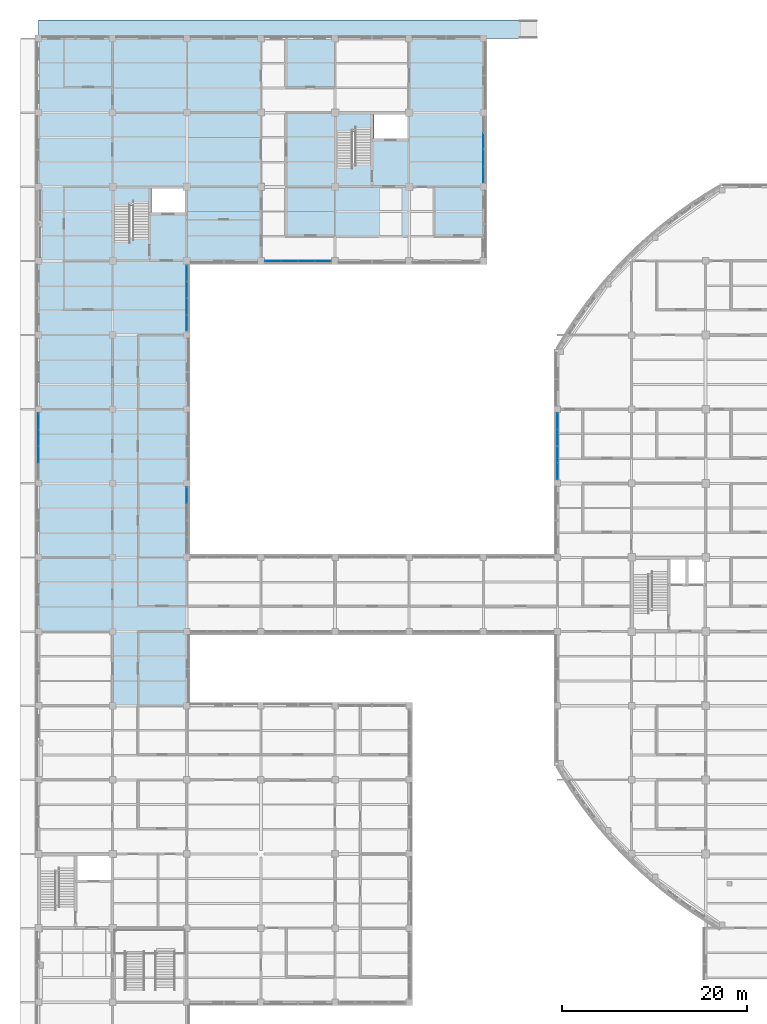
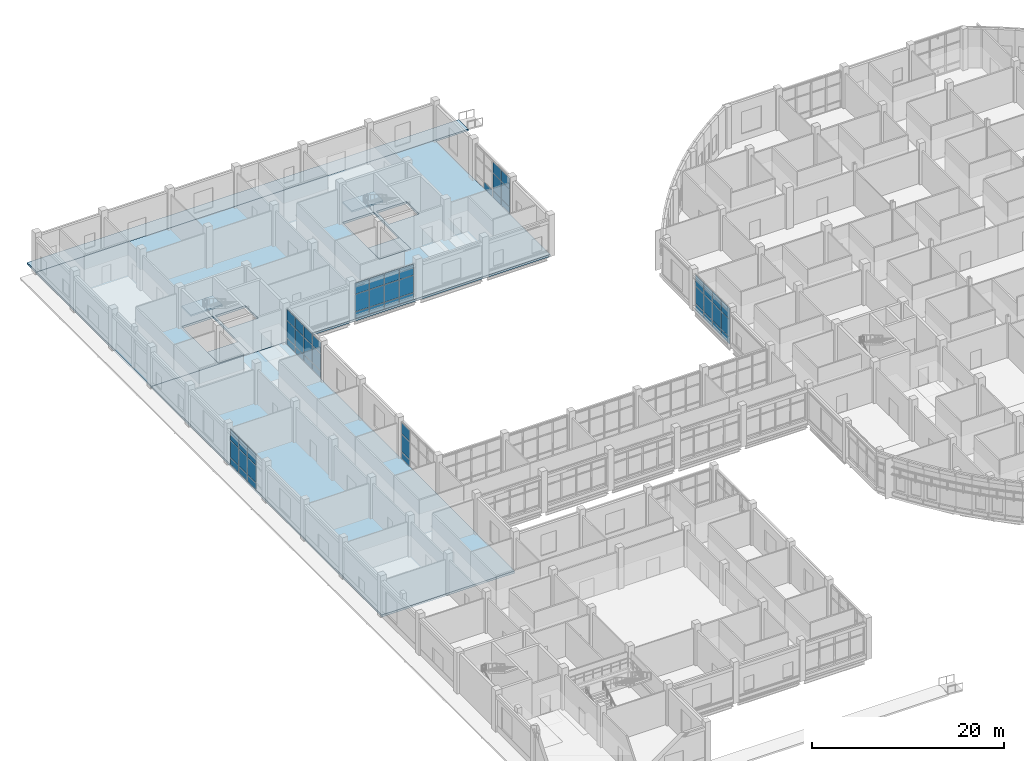
# One storey, part 52 of 105: 55 plates, 7 slabs, 8 elements without a shape of their own.
"""IFC4 building model written with IfcOpenShell, lengths in metres."""

from ifc_helpers import new_model, si_unit, derived_unit, direction, frame, origin, origin_2d, place, context, subcontext, project, spatial, polyline, rectangle, outline, extrude, material, layer, layer_set, type_object, element, aggregate, save


model = new_model("IFC4")

# Units and contexts
model_context = context("Model", 3, precision=1e-05, world=origin(), true_north=direction((0.0, 1.0)))
body_context = subcontext(model_context, "Body", "Model", "MODEL_VIEW")
ifc_project = project(units=[si_unit("LENGTHUNIT", "METRE"), si_unit("AREAUNIT", "SQUARE_METRE"), si_unit("VOLUMEUNIT", "CUBIC_METRE"), si_unit("PLANEANGLEUNIT", "RADIAN"), si_unit("MASSUNIT", "GRAM", prefix="KILO"), derived_unit("THERMALTRANSMITTANCEUNIT", [(si_unit("MASSUNIT", "GRAM", prefix="KILO"), 1), (si_unit("TIMEUNIT", "SECOND"), -3), (si_unit("THERMODYNAMICTEMPERATUREUNIT", "KELVIN"), -1)])], contexts=[model_context])

# Site, building, storey
site_placement = place(None, origin())
site = spatial("IfcSite", under=ifc_project, at=site_placement, CompositionType="ELEMENT")
building_placement = place(site_placement, origin())
building = spatial("IfcBuilding", under=site, at=building_placement, Name="Veyamyaing Civic Hall", CompositionType="ELEMENT")
storey_placement = place(building_placement, origin())
storey = spatial("IfcBuildingStorey", under=building, at=storey_placement, Name="L00", CompositionType="ELEMENT", Elevation=0.0)

# Curtain wall, plates
ifc_material_1 = material(Name="Anodised aluminium 6063-T6", Category="aluminium")
ifc_layer_1 = layer(ifc_material_1, 0.159912109375, Name="Anodised aluminium 6063-T6")
ifc_layer_set_1 = layer_set([ifc_layer_1], Name="Anodised aluminium 6063-T6")
curtain_wall_type_1 = type_object("IfcCurtainWallType", Name="CW-01", PredefinedType="NOTDEFINED", material=ifc_layer_set_1)
curtain_wall_1_placement = place(storey_placement, origin())
curtain_wall_1 = element("IfcCurtainWall", 1, at=curtain_wall_1_placement, inside=storey, type_object=curtain_wall_type_1, Name="Unitized curtain wall CW-01 L00 E 2.11", PredefinedType="NOTDEFINED")
ifc_material_2 = material(Name="Low-E insulated glass", Category="glass")
ifc_layer_2 = layer(ifc_material_2, 0.028076171875, Name="Low-E insulated glass")
ifc_layer_set_2 = layer_set([ifc_layer_2], Name="Low-E insulated glass")
plate_type_1 = type_object("IfcPlateType", Name="CWP-01", PredefinedType="CURTAIN_PANEL", material=ifc_layer_set_2)
plate_1_placement = place(storey_placement, frame((16.0, 81.294921875, 0.06494140625), z_axis=(0.0, 0.0, 1.0), x_axis=(0.0, 1.0, 0.0)))
plate_1 = element("IfcPlate", 2, at=plate_1_placement, type_object=plate_type_1, Name="CW-01 panel 1.1", PredefinedType="CURTAIN_PANEL", context=body_context, shape_type="SweptSolid", body=[
    extrude(rectangle(XDim=1.699951171875, YDim=0.028076171875, at=origin_2d()), origin(), (0.0, 0.0, 1.0), 0.802490234375),
])
plate_2_placement = place(storey_placement, frame((16.0, 81.294921875, 0.9326171875), z_axis=(0.0, 0.0, 1.0), x_axis=(0.0, 1.0, 0.0)))
plate_2 = element("IfcPlate", 3, at=plate_2_placement, type_object=plate_type_1, Name="CW-01 panel 1.2", PredefinedType="CURTAIN_PANEL", context=body_context, shape_type="SweptSolid", body=[
    extrude(rectangle(XDim=1.699951171875, YDim=0.028076171875, at=origin_2d()), origin(), (0.0, 0.0, 1.0), 2.173095703125),
])
plate_3_placement = place(storey_placement, frame((16.0, 81.294921875, 3.170654296875), z_axis=(0.0, 0.0, 1.0), x_axis=(0.0, 1.0, 0.0)))
plate_3 = element("IfcPlate", 4, at=plate_3_placement, type_object=plate_type_1, Name="CW-01 panel 1.3", PredefinedType="CURTAIN_PANEL", context=body_context, shape_type="SweptSolid", body=[
    extrude(rectangle(XDim=1.699951171875, YDim=0.028076171875, at=origin_2d()), origin(), (0.0, 0.0, 1.0), 1.37939453125),
])
plate_4_placement = place(storey_placement, frame((16.0, 83.076171875, 0.06494140625), z_axis=(0.0, 0.0, 1.0), x_axis=(0.0, 1.0, 0.0)))
plate_4 = element("IfcPlate", 5, at=plate_4_placement, type_object=plate_type_1, Name="CW-01 panel 2.1", PredefinedType="CURTAIN_PANEL", context=body_context, shape_type="SweptSolid", body=[
    extrude(rectangle(XDim=1.732421875, YDim=0.028076171875, at=origin_2d()), origin(), (0.0, 0.0, 1.0), 0.802490234375),
])
plate_5_placement = place(storey_placement, frame((16.0, 83.076171875, 0.9326171875), z_axis=(0.0, 0.0, 1.0), x_axis=(0.0, 1.0, 0.0)))
plate_5 = element("IfcPlate", 6, at=plate_5_placement, type_object=plate_type_1, Name="CW-01 panel 2.2", PredefinedType="CURTAIN_PANEL", context=body_context, shape_type="SweptSolid", body=[
    extrude(rectangle(XDim=1.732421875, YDim=0.028076171875, at=origin_2d()), origin(), (0.0, 0.0, 1.0), 2.173095703125),
])
plate_6_placement = place(storey_placement, frame((16.0, 83.076171875, 3.170654296875), z_axis=(0.0, 0.0, 1.0), x_axis=(0.0, 1.0, 0.0)))
plate_6 = element("IfcPlate", 7, at=plate_6_placement, type_object=plate_type_1, Name="CW-01 panel 2.3", PredefinedType="CURTAIN_PANEL", context=body_context, shape_type="SweptSolid", body=[
    extrude(rectangle(XDim=1.732421875, YDim=0.028076171875, at=origin_2d()), origin(), (0.0, 0.0, 1.0), 1.37939453125),
])
plate_7_placement = place(storey_placement, frame((16.0, 84.873779296875, 0.06494140625), z_axis=(0.0, 0.0, 1.0), x_axis=(0.0, 1.0, 0.0)))
plate_7 = element("IfcPlate", 8, at=plate_7_placement, type_object=plate_type_1, Name="CW-01 panel 3.1", PredefinedType="CURTAIN_PANEL", context=body_context, shape_type="SweptSolid", body=[
    extrude(rectangle(XDim=1.732421875, YDim=0.028076171875, at=origin_2d()), origin(), (0.0, 0.0, 1.0), 0.802490234375),
])
plate_8_placement = place(storey_placement, frame((16.0, 84.873779296875, 0.9326171875), z_axis=(0.0, 0.0, 1.0), x_axis=(0.0, 1.0, 0.0)))
plate_8 = element("IfcPlate", 9, at=plate_8_placement, type_object=plate_type_1, Name="CW-01 panel 3.2", PredefinedType="CURTAIN_PANEL", context=body_context, shape_type="SweptSolid", body=[
    extrude(rectangle(XDim=1.732421875, YDim=0.028076171875, at=origin_2d()), origin(), (0.0, 0.0, 1.0), 2.173095703125),
])
plate_9_placement = place(storey_placement, frame((16.0, 84.873779296875, 3.170654296875), z_axis=(0.0, 0.0, 1.0), x_axis=(0.0, 1.0, 0.0)))
plate_9 = element("IfcPlate", 10, at=plate_9_placement, type_object=plate_type_1, Name="CW-01 panel 3.3", PredefinedType="CURTAIN_PANEL", context=body_context, shape_type="SweptSolid", body=[
    extrude(rectangle(XDim=1.732421875, YDim=0.028076171875, at=origin_2d()), origin(), (0.0, 0.0, 1.0), 1.37939453125),
])
plate_10_placement = place(storey_placement, frame((16.0, 86.655029296875, 0.06494140625), z_axis=(0.0, 0.0, 1.0), x_axis=(0.0, 1.0, 0.0)))
plate_10 = element("IfcPlate", 11, at=plate_10_placement, type_object=plate_type_1, Name="CW-01 panel 4.1", PredefinedType="CURTAIN_PANEL", context=body_context, shape_type="SweptSolid", body=[
    extrude(rectangle(XDim=1.699951171875, YDim=0.028076171875, at=origin_2d()), origin(), (0.0, 0.0, 1.0), 0.802490234375),
])
plate_11_placement = place(storey_placement, frame((16.0, 86.655029296875, 0.9326171875), z_axis=(0.0, 0.0, 1.0), x_axis=(0.0, 1.0, 0.0)))
plate_11 = element("IfcPlate", 12, at=plate_11_placement, type_object=plate_type_1, Name="CW-01 panel 4.2", PredefinedType="CURTAIN_PANEL", context=body_context, shape_type="SweptSolid", body=[
    extrude(rectangle(XDim=1.699951171875, YDim=0.028076171875, at=origin_2d()), origin(), (0.0, 0.0, 1.0), 2.173095703125),
])
plate_12_placement = place(storey_placement, frame((16.0, 86.655029296875, 3.170654296875), z_axis=(0.0, 0.0, 1.0), x_axis=(0.0, 1.0, 0.0)))
plate_12 = element("IfcPlate", 13, at=plate_12_placement, type_object=plate_type_1, Name="CW-01 panel 4.3", PredefinedType="CURTAIN_PANEL", context=body_context, shape_type="SweptSolid", body=[
    extrude(rectangle(XDim=1.699951171875, YDim=0.028076171875, at=origin_2d()), origin(), (0.0, 0.0, 1.0), 1.37939453125),
])
aggregate(curtain_wall_1, [plate_1, plate_2, plate_3, plate_4, plate_5, plate_6, plate_7, plate_8, plate_9, plate_10, plate_11, plate_12])

curtain_wall_2_placement = place(storey_placement, origin())
curtain_wall_2 = element("IfcCurtainWall", 14, at=curtain_wall_2_placement, inside=storey, type_object=curtain_wall_type_1, Name="Unitized curtain wall CW-01 L00 E 6.13", PredefinedType="NOTDEFINED")
plate_13_placement = place(storey_placement, frame((48.0, 97.320068359375, 0.06494140625), z_axis=(0.0, 0.0, 1.0), x_axis=(0.0, 1.0, 0.0)))
plate_13 = element("IfcPlate", 15, at=plate_13_placement, type_object=plate_type_1, Name="CW-01 panel 1.1", PredefinedType="CURTAIN_PANEL", context=body_context, shape_type="SweptSolid", body=[
    extrude(rectangle(XDim=1.699951171875, YDim=0.028076171875, at=origin_2d()), origin(), (0.0, 0.0, 1.0), 0.802490234375),
])
plate_14_placement = place(storey_placement, frame((48.0, 97.320068359375, 0.9326171875), z_axis=(0.0, 0.0, 1.0), x_axis=(0.0, 1.0, 0.0)))
plate_14 = element("IfcPlate", 16, at=plate_14_placement, type_object=plate_type_1, Name="CW-01 panel 1.2", PredefinedType="CURTAIN_PANEL", context=body_context, shape_type="SweptSolid", body=[
    extrude(rectangle(XDim=1.699951171875, YDim=0.028076171875, at=origin_2d()), origin(), (0.0, 0.0, 1.0), 2.172607421875),
])
plate_15_placement = place(storey_placement, frame((48.0, 97.320068359375, 3.170166015625), z_axis=(0.0, 0.0, 1.0), x_axis=(0.0, 1.0, 0.0)))
plate_15 = element("IfcPlate", 17, at=plate_15_placement, type_object=plate_type_1, Name="CW-01 panel 1.3", PredefinedType="CURTAIN_PANEL", context=body_context, shape_type="SweptSolid", body=[
    extrude(rectangle(XDim=1.699951171875, YDim=0.028076171875, at=origin_2d()), origin(), (0.0, 0.0, 1.0), 1.37890625),
])
plate_16_placement = place(storey_placement, frame((48.0, 99.101318359375, 0.06494140625), z_axis=(0.0, 0.0, 1.0), x_axis=(0.0, 1.0, 0.0)))
plate_16 = element("IfcPlate", 18, at=plate_16_placement, type_object=plate_type_1, Name="CW-01 panel 2.1", PredefinedType="CURTAIN_PANEL", context=body_context, shape_type="SweptSolid", body=[
    extrude(rectangle(XDim=1.732421875, YDim=0.028076171875, at=origin_2d()), origin(), (0.0, 0.0, 1.0), 0.802490234375),
])
plate_17_placement = place(storey_placement, frame((48.0, 99.101318359375, 0.9326171875), z_axis=(0.0, 0.0, 1.0), x_axis=(0.0, 1.0, 0.0)))
plate_17 = element("IfcPlate", 19, at=plate_17_placement, type_object=plate_type_1, Name="CW-01 panel 2.2", PredefinedType="CURTAIN_PANEL", context=body_context, shape_type="SweptSolid", body=[
    extrude(rectangle(XDim=1.732421875, YDim=0.028076171875, at=origin_2d()), origin(), (0.0, 0.0, 1.0), 2.172607421875),
])
plate_18_placement = place(storey_placement, frame((48.0, 99.101318359375, 3.170166015625), z_axis=(0.0, 0.0, 1.0), x_axis=(0.0, 1.0, 0.0)))
plate_18 = element("IfcPlate", 20, at=plate_18_placement, type_object=plate_type_1, Name="CW-01 panel 2.3", PredefinedType="CURTAIN_PANEL", context=body_context, shape_type="SweptSolid", body=[
    extrude(rectangle(XDim=1.732421875, YDim=0.028076171875, at=origin_2d()), origin(), (0.0, 0.0, 1.0), 1.37890625),
])
plate_19_placement = place(storey_placement, frame((48.0, 100.898681640625, 0.06494140625), z_axis=(0.0, 0.0, 1.0), x_axis=(0.0, 1.0, 0.0)))
plate_19 = element("IfcPlate", 21, at=plate_19_placement, type_object=plate_type_1, Name="CW-01 panel 3.1", PredefinedType="CURTAIN_PANEL", context=body_context, shape_type="SweptSolid", body=[
    extrude(rectangle(XDim=1.732421875, YDim=0.028076171875, at=origin_2d()), origin(), (0.0, 0.0, 1.0), 0.802490234375),
])
aggregate(curtain_wall_2, [plate_13, plate_14, plate_15, plate_16, plate_17, plate_18, plate_19])

curtain_wall_3_placement = place(storey_placement, origin())
curtain_wall_3 = element("IfcCurtainWall", 22, at=curtain_wall_3_placement, inside=storey, type_object=curtain_wall_type_1, Name="Unitized curtain wall CW-01 L00 W 1.9", PredefinedType="NOTDEFINED")
ifc_layer_3 = layer(ifc_material_2, 0.02392578125, Name="Low-E insulated glass")
ifc_layer_set_3 = layer_set([ifc_layer_3], Name="Low-E insulated glass")
plate_type_2 = type_object("IfcPlateType", Name="CWP-04", PredefinedType="CURTAIN_PANEL", material=ifc_layer_set_3)
plate_20_placement = place(storey_placement, frame((0.0, 67.094970703125, 0.06494140625), z_axis=(0.0, 0.0, 1.0), x_axis=(0.0, 1.0, 0.0)))
plate_20 = element("IfcPlate", 23, at=plate_20_placement, type_object=plate_type_2, Name="CW-01 panel 2.1", PredefinedType="CURTAIN_PANEL", context=body_context, shape_type="SweptSolid", body=[
    extrude(rectangle(XDim=1.7451171875, YDim=0.02392578125, at=origin_2d()), origin(), (0.0, 0.0, 1.0), 0.802490234375),
])
plate_21_placement = place(storey_placement, frame((0.0, 67.094970703125, 0.932373046875), z_axis=(0.0, 0.0, 1.0), x_axis=(0.0, 1.0, 0.0)))
plate_21 = element("IfcPlate", 24, at=plate_21_placement, type_object=plate_type_2, Name="CW-01 panel 2.2", PredefinedType="CURTAIN_PANEL", context=body_context, shape_type="SweptSolid", body=[
    extrude(rectangle(XDim=1.7451171875, YDim=0.02392578125, at=origin_2d()), origin(), (0.0, 0.0, 1.0), 2.169921875),
])
plate_22_placement = place(storey_placement, frame((0.0, 67.094970703125, 3.16748046875), z_axis=(0.0, 0.0, 1.0), x_axis=(0.0, 1.0, 0.0)))
plate_22 = element("IfcPlate", 25, at=plate_22_placement, type_object=plate_type_2, Name="CW-01 panel 2.3", PredefinedType="CURTAIN_PANEL", context=body_context, shape_type="SweptSolid", body=[
    extrude(rectangle(XDim=1.7451171875, YDim=0.02392578125, at=origin_2d()), origin(), (0.0, 0.0, 1.0), 1.377685546875),
])
plate_23_placement = place(storey_placement, frame((0.0, 68.905029296875, 0.06494140625), z_axis=(0.0, 0.0, 1.0), x_axis=(0.0, 1.0, 0.0)))
plate_23 = element("IfcPlate", 26, at=plate_23_placement, type_object=plate_type_2, Name="CW-01 panel 3.1", PredefinedType="CURTAIN_PANEL", context=body_context, shape_type="SweptSolid", body=[
    extrude(rectangle(XDim=1.7451171875, YDim=0.02392578125, at=origin_2d()), origin(), (0.0, 0.0, 1.0), 0.802490234375),
])
plate_24_placement = place(storey_placement, frame((0.0, 68.905029296875, 0.932373046875), z_axis=(0.0, 0.0, 1.0), x_axis=(0.0, 1.0, 0.0)))
plate_24 = element("IfcPlate", 27, at=plate_24_placement, type_object=plate_type_2, Name="CW-01 panel 3.2", PredefinedType="CURTAIN_PANEL", context=body_context, shape_type="SweptSolid", body=[
    extrude(rectangle(XDim=1.7451171875, YDim=0.02392578125, at=origin_2d()), origin(), (0.0, 0.0, 1.0), 2.169921875),
])
plate_25_placement = place(storey_placement, frame((0.0, 68.905029296875, 3.16748046875), z_axis=(0.0, 0.0, 1.0), x_axis=(0.0, 1.0, 0.0)))
plate_25 = element("IfcPlate", 28, at=plate_25_placement, type_object=plate_type_2, Name="CW-01 panel 3.3", PredefinedType="CURTAIN_PANEL", context=body_context, shape_type="SweptSolid", body=[
    extrude(rectangle(XDim=1.7451171875, YDim=0.02392578125, at=origin_2d()), origin(), (0.0, 0.0, 1.0), 1.377685546875),
])
plate_26_placement = place(storey_placement, frame((0.0, 70.69873046875, 0.06494140625), z_axis=(0.0, 0.0, 1.0), x_axis=(0.0, 1.0, 0.0)))
plate_26 = element("IfcPlate", 29, at=plate_26_placement, type_object=plate_type_2, Name="CW-01 panel 4.1", PredefinedType="CURTAIN_PANEL", context=body_context, shape_type="SweptSolid", body=[
    extrude(rectangle(XDim=1.71240234375, YDim=0.02392578125, at=origin_2d()), origin(), (0.0, 0.0, 1.0), 0.802490234375),
])
plate_27_placement = place(storey_placement, frame((0.0, 70.69873046875, 0.932373046875), z_axis=(0.0, 0.0, 1.0), x_axis=(0.0, 1.0, 0.0)))
plate_27 = element("IfcPlate", 30, at=plate_27_placement, type_object=plate_type_2, Name="CW-01 panel 4.2", PredefinedType="CURTAIN_PANEL", context=body_context, shape_type="SweptSolid", body=[
    extrude(rectangle(XDim=1.71240234375, YDim=0.02392578125, at=origin_2d()), origin(), (0.0, 0.0, 1.0), 2.169921875),
])
plate_28_placement = place(storey_placement, frame((0.0, 70.69873046875, 3.16748046875), z_axis=(0.0, 0.0, 1.0), x_axis=(0.0, 1.0, 0.0)))
plate_28 = element("IfcPlate", 31, at=plate_28_placement, type_object=plate_type_2, Name="CW-01 panel 4.3", PredefinedType="CURTAIN_PANEL", context=body_context, shape_type="SweptSolid", body=[
    extrude(rectangle(XDim=1.71240234375, YDim=0.02392578125, at=origin_2d()), origin(), (0.0, 0.0, 1.0), 1.377685546875),
])
aggregate(curtain_wall_3, [plate_20, plate_21, plate_22, plate_23, plate_24, plate_25, plate_26, plate_27, plate_28])

curtain_wall_4_placement = place(storey_placement, origin())
curtain_wall_4 = element("IfcCurtainWall", 32, at=curtain_wall_4_placement, inside=storey, type_object=curtain_wall_type_1, Name="Unitized curtain wall CW-01 L00 E 2.8", PredefinedType="NOTDEFINED")
plate_29_placement = place(storey_placement, frame((16.0, 62.69873046875, 0.06494140625), z_axis=(0.0, 0.0, 1.0), x_axis=(0.0, 1.0, 0.0)))
plate_29 = element("IfcPlate", 33, at=plate_29_placement, type_object=plate_type_2, Name="CW-01 panel 4.1", PredefinedType="CURTAIN_PANEL", context=body_context, shape_type="SweptSolid", body=[
    extrude(rectangle(XDim=1.71240234375, YDim=0.02392578125, at=origin_2d()), origin(), (0.0, 0.0, 1.0), 0.802490234375),
])
plate_30_placement = place(storey_placement, frame((16.0, 62.69873046875, 0.932373046875), z_axis=(0.0, 0.0, 1.0), x_axis=(0.0, 1.0, 0.0)))
plate_30 = element("IfcPlate", 34, at=plate_30_placement, type_object=plate_type_2, Name="CW-01 panel 4.2", PredefinedType="CURTAIN_PANEL", context=body_context, shape_type="SweptSolid", body=[
    extrude(rectangle(XDim=1.71240234375, YDim=0.02392578125, at=origin_2d()), origin(), (0.0, 0.0, 1.0), 2.216796875),
])
plate_31_placement = place(storey_placement, frame((16.0, 62.69873046875, 3.214111328125), z_axis=(0.0, 0.0, 1.0), x_axis=(0.0, 1.0, 0.0)))
plate_31 = element("IfcPlate", 35, at=plate_31_placement, type_object=plate_type_2, Name="CW-01 panel 4.3", PredefinedType="CURTAIN_PANEL", context=body_context, shape_type="SweptSolid", body=[
    extrude(rectangle(XDim=1.71240234375, YDim=0.02392578125, at=origin_2d()), origin(), (0.0, 0.0, 1.0), 1.39990234375),
])
aggregate(curtain_wall_4, [plate_29, plate_30, plate_31])

curtain_wall_5_placement = place(storey_placement, origin())
curtain_wall_5 = element("IfcCurtainWall", 36, at=curtain_wall_5_placement, inside=storey, type_object=curtain_wall_type_1, Name="Unitized curtain wall CW-01 L00 S 4.12", PredefinedType="NOTDEFINED")
plate_32_placement = place(storey_placement, frame((25.320068359375, 88.0, 0.06494140625), z_axis=(0.0, 0.0, 1.0), x_axis=(1.0, 0.0, 0.0)))
plate_32 = element("IfcPlate", 37, at=plate_32_placement, type_object=plate_type_2, Name="CW-01 panel 1.1", PredefinedType="CURTAIN_PANEL", context=body_context, shape_type="SweptSolid", body=[
    extrude(rectangle(XDim=1.699951171875, YDim=0.02392578125, at=origin_2d()), origin(), (0.0, 0.0, 1.0), 0.802490234375),
])
plate_33_placement = place(storey_placement, frame((25.320068359375, 88.0, 0.9326171875), z_axis=(0.0, 0.0, 1.0), x_axis=(1.0, 0.0, 0.0)))
plate_33 = element("IfcPlate", 38, at=plate_33_placement, type_object=plate_type_2, Name="CW-01 panel 1.2", PredefinedType="CURTAIN_PANEL", context=body_context, shape_type="SweptSolid", body=[
    extrude(rectangle(XDim=1.699951171875, YDim=0.02392578125, at=origin_2d()), origin(), (0.0, 0.0, 1.0), 2.172607421875),
])
plate_34_placement = place(storey_placement, frame((25.320068359375, 88.0, 3.170166015625), z_axis=(0.0, 0.0, 1.0), x_axis=(1.0, 0.0, 0.0)))
plate_34 = element("IfcPlate", 39, at=plate_34_placement, type_object=plate_type_2, Name="CW-01 panel 1.3", PredefinedType="CURTAIN_PANEL", context=body_context, shape_type="SweptSolid", body=[
    extrude(rectangle(XDim=1.699951171875, YDim=0.02392578125, at=origin_2d()), origin(), (0.0, 0.0, 1.0), 1.37890625),
])
plate_35_placement = place(storey_placement, frame((27.101318359375, 88.0, 0.06494140625), z_axis=(0.0, 0.0, 1.0), x_axis=(1.0, 0.0, 0.0)))
plate_35 = element("IfcPlate", 40, at=plate_35_placement, type_object=plate_type_2, Name="CW-01 panel 2.1", PredefinedType="CURTAIN_PANEL", context=body_context, shape_type="SweptSolid", body=[
    extrude(rectangle(XDim=1.732421875, YDim=0.02392578125, at=origin_2d()), origin(), (0.0, 0.0, 1.0), 0.802490234375),
])
plate_36_placement = place(storey_placement, frame((27.101318359375, 88.0, 0.9326171875), z_axis=(0.0, 0.0, 1.0), x_axis=(1.0, 0.0, 0.0)))
plate_36 = element("IfcPlate", 41, at=plate_36_placement, type_object=plate_type_2, Name="CW-01 panel 2.2", PredefinedType="CURTAIN_PANEL", context=body_context, shape_type="SweptSolid", body=[
    extrude(rectangle(XDim=1.732421875, YDim=0.02392578125, at=origin_2d()), origin(), (0.0, 0.0, 1.0), 2.172607421875),
])
plate_37_placement = place(storey_placement, frame((27.101318359375, 88.0, 3.170166015625), z_axis=(0.0, 0.0, 1.0), x_axis=(1.0, 0.0, 0.0)))
plate_37 = element("IfcPlate", 42, at=plate_37_placement, type_object=plate_type_2, Name="CW-01 panel 2.3", PredefinedType="CURTAIN_PANEL", context=body_context, shape_type="SweptSolid", body=[
    extrude(rectangle(XDim=1.732421875, YDim=0.02392578125, at=origin_2d()), origin(), (0.0, 0.0, 1.0), 1.37890625),
])
plate_38_placement = place(storey_placement, frame((28.898681640625, 88.0, 0.06494140625), z_axis=(0.0, 0.0, 1.0), x_axis=(1.0, 0.0, 0.0)))
plate_38 = element("IfcPlate", 43, at=plate_38_placement, type_object=plate_type_2, Name="CW-01 panel 3.1", PredefinedType="CURTAIN_PANEL", context=body_context, shape_type="SweptSolid", body=[
    extrude(rectangle(XDim=1.732421875, YDim=0.02392578125, at=origin_2d()), origin(), (0.0, 0.0, 1.0), 0.802490234375),
])
plate_39_placement = place(storey_placement, frame((28.898681640625, 88.0, 0.9326171875), z_axis=(0.0, 0.0, 1.0), x_axis=(1.0, 0.0, 0.0)))
plate_39 = element("IfcPlate", 44, at=plate_39_placement, type_object=plate_type_2, Name="CW-01 panel 3.2", PredefinedType="CURTAIN_PANEL", context=body_context, shape_type="SweptSolid", body=[
    extrude(rectangle(XDim=1.732421875, YDim=0.02392578125, at=origin_2d()), origin(), (0.0, 0.0, 1.0), 2.172607421875),
])
plate_40_placement = place(storey_placement, frame((28.898681640625, 88.0, 3.170166015625), z_axis=(0.0, 0.0, 1.0), x_axis=(1.0, 0.0, 0.0)))
plate_40 = element("IfcPlate", 45, at=plate_40_placement, type_object=plate_type_2, Name="CW-01 panel 3.3", PredefinedType="CURTAIN_PANEL", context=body_context, shape_type="SweptSolid", body=[
    extrude(rectangle(XDim=1.732421875, YDim=0.02392578125, at=origin_2d()), origin(), (0.0, 0.0, 1.0), 1.37890625),
])
plate_41_placement = place(storey_placement, frame((30.679931640625, 88.0, 0.06494140625), z_axis=(0.0, 0.0, 1.0), x_axis=(1.0, 0.0, 0.0)))
plate_41 = element("IfcPlate", 46, at=plate_41_placement, type_object=plate_type_2, Name="CW-01 panel 4.1", PredefinedType="CURTAIN_PANEL", context=body_context, shape_type="SweptSolid", body=[
    extrude(rectangle(XDim=1.699951171875, YDim=0.02392578125, at=origin_2d()), origin(), (0.0, 0.0, 1.0), 0.802490234375),
])
plate_42_placement = place(storey_placement, frame((30.679931640625, 88.0, 0.9326171875), z_axis=(0.0, 0.0, 1.0), x_axis=(1.0, 0.0, 0.0)))
plate_42 = element("IfcPlate", 47, at=plate_42_placement, type_object=plate_type_2, Name="CW-01 panel 4.2", PredefinedType="CURTAIN_PANEL", context=body_context, shape_type="SweptSolid", body=[
    extrude(rectangle(XDim=1.699951171875, YDim=0.02392578125, at=origin_2d()), origin(), (0.0, 0.0, 1.0), 2.172607421875),
])
plate_43_placement = place(storey_placement, frame((30.679931640625, 88.0, 3.170166015625), z_axis=(0.0, 0.0, 1.0), x_axis=(1.0, 0.0, 0.0)))
plate_43 = element("IfcPlate", 48, at=plate_43_placement, type_object=plate_type_2, Name="CW-01 panel 4.3", PredefinedType="CURTAIN_PANEL", context=body_context, shape_type="SweptSolid", body=[
    extrude(rectangle(XDim=1.699951171875, YDim=0.02392578125, at=origin_2d()), origin(), (0.0, 0.0, 1.0), 1.37890625),
])
aggregate(curtain_wall_5, [plate_32, plate_33, plate_34, plate_35, plate_36, plate_37, plate_38, plate_39, plate_40, plate_41, plate_42, plate_43])

ifc_layer_4 = layer(ifc_material_1, 0.179931640625, Name="Anodised aluminium 6063-T6")
ifc_layer_set_4 = layer_set([ifc_layer_4], Name="Anodised aluminium 6063-T6")
curtain_wall_type_2 = type_object("IfcCurtainWallType", Name="CW-06", PredefinedType="NOTDEFINED", material=ifc_layer_set_4)
curtain_wall_6_placement = place(storey_placement, origin())
curtain_wall_6 = element("IfcCurtainWall", 49, at=curtain_wall_6_placement, inside=storey, type_object=curtain_wall_type_2, Name="Unitized curtain wall CW-06 L00 W 8.9", PredefinedType="NOTDEFINED")
ifc_layer_5 = layer(ifc_material_2, 0.0400390625, Name="Low-E insulated glass")
ifc_layer_set_5 = layer_set([ifc_layer_5], Name="Low-E insulated glass")
plate_type_3 = type_object("IfcPlateType", Name="CWP-05", PredefinedType="CURTAIN_PANEL", material=ifc_layer_set_5)
plate_44_placement = place(storey_placement, frame((56.0, 65.30126953125, 0.06494140625), z_axis=(0.0, 0.0, 1.0), x_axis=(0.0, 1.0, 0.0)))
plate_44 = element("IfcPlate", 50, at=plate_44_placement, type_object=plate_type_3, Name="CW-06 panel 1.1", PredefinedType="CURTAIN_PANEL", context=body_context, shape_type="SweptSolid", body=[
    extrude(rectangle(XDim=1.71240234375, YDim=0.0400390625, at=origin_2d()), origin(), (0.0, 0.0, 1.0), 0.802490234375),
])
plate_45_placement = place(storey_placement, frame((56.0, 65.30126953125, 0.9326171875), z_axis=(0.0, 0.0, 1.0), x_axis=(0.0, 1.0, 0.0)))
plate_45 = element("IfcPlate", 51, at=plate_45_placement, type_object=plate_type_3, Name="CW-06 panel 1.2", PredefinedType="CURTAIN_PANEL", context=body_context, shape_type="SweptSolid", body=[
    extrude(rectangle(XDim=1.71240234375, YDim=0.0400390625, at=origin_2d()), origin(), (0.0, 0.0, 1.0), 2.21533203125),
])
plate_46_placement = place(storey_placement, frame((56.0, 65.30126953125, 3.212890625), z_axis=(0.0, 0.0, 1.0), x_axis=(0.0, 1.0, 0.0)))
plate_46 = element("IfcPlate", 52, at=plate_46_placement, type_object=plate_type_3, Name="CW-06 panel 1.3", PredefinedType="CURTAIN_PANEL", context=body_context, shape_type="SweptSolid", body=[
    extrude(rectangle(XDim=1.71240234375, YDim=0.0400390625, at=origin_2d()), origin(), (0.0, 0.0, 1.0), 1.399169921875),
])
plate_47_placement = place(storey_placement, frame((56.0, 67.094970703125, 0.06494140625), z_axis=(0.0, 0.0, 1.0), x_axis=(0.0, 1.0, 0.0)))
plate_47 = element("IfcPlate", 53, at=plate_47_placement, type_object=plate_type_3, Name="CW-06 panel 2.1", PredefinedType="CURTAIN_PANEL", context=body_context, shape_type="SweptSolid", body=[
    extrude(rectangle(XDim=1.7451171875, YDim=0.0400390625, at=origin_2d()), origin(), (0.0, 0.0, 1.0), 0.802490234375),
])
plate_48_placement = place(storey_placement, frame((56.0, 67.094970703125, 0.9326171875), z_axis=(0.0, 0.0, 1.0), x_axis=(0.0, 1.0, 0.0)))
plate_48 = element("IfcPlate", 54, at=plate_48_placement, type_object=plate_type_3, Name="CW-06 panel 2.2", PredefinedType="CURTAIN_PANEL", context=body_context, shape_type="SweptSolid", body=[
    extrude(rectangle(XDim=1.7451171875, YDim=0.0400390625, at=origin_2d()), origin(), (0.0, 0.0, 1.0), 2.21533203125),
])
plate_49_placement = place(storey_placement, frame((56.0, 67.094970703125, 3.212890625), z_axis=(0.0, 0.0, 1.0), x_axis=(0.0, 1.0, 0.0)))
plate_49 = element("IfcPlate", 55, at=plate_49_placement, type_object=plate_type_3, Name="CW-06 panel 2.3", PredefinedType="CURTAIN_PANEL", context=body_context, shape_type="SweptSolid", body=[
    extrude(rectangle(XDim=1.7451171875, YDim=0.0400390625, at=origin_2d()), origin(), (0.0, 0.0, 1.0), 1.399169921875),
])
plate_50_placement = place(storey_placement, frame((56.0, 68.905029296875, 0.06494140625), z_axis=(0.0, 0.0, 1.0), x_axis=(0.0, 1.0, 0.0)))
plate_50 = element("IfcPlate", 56, at=plate_50_placement, type_object=plate_type_3, Name="CW-06 panel 3.1", PredefinedType="CURTAIN_PANEL", context=body_context, shape_type="SweptSolid", body=[
    extrude(rectangle(XDim=1.7451171875, YDim=0.0400390625, at=origin_2d()), origin(), (0.0, 0.0, 1.0), 0.802490234375),
])
plate_51_placement = place(storey_placement, frame((56.0, 68.905029296875, 0.9326171875), z_axis=(0.0, 0.0, 1.0), x_axis=(0.0, 1.0, 0.0)))
plate_51 = element("IfcPlate", 57, at=plate_51_placement, type_object=plate_type_3, Name="CW-06 panel 3.2", PredefinedType="CURTAIN_PANEL", context=body_context, shape_type="SweptSolid", body=[
    extrude(rectangle(XDim=1.7451171875, YDim=0.0400390625, at=origin_2d()), origin(), (0.0, 0.0, 1.0), 2.21533203125),
])
plate_52_placement = place(storey_placement, frame((56.0, 68.905029296875, 3.212890625), z_axis=(0.0, 0.0, 1.0), x_axis=(0.0, 1.0, 0.0)))
plate_52 = element("IfcPlate", 58, at=plate_52_placement, type_object=plate_type_3, Name="CW-06 panel 3.3", PredefinedType="CURTAIN_PANEL", context=body_context, shape_type="SweptSolid", body=[
    extrude(rectangle(XDim=1.7451171875, YDim=0.0400390625, at=origin_2d()), origin(), (0.0, 0.0, 1.0), 1.399169921875),
])
plate_53_placement = place(storey_placement, frame((56.0, 70.69873046875, 0.06494140625), z_axis=(0.0, 0.0, 1.0), x_axis=(0.0, 1.0, 0.0)))
plate_53 = element("IfcPlate", 59, at=plate_53_placement, type_object=plate_type_3, Name="CW-06 panel 4.1", PredefinedType="CURTAIN_PANEL", context=body_context, shape_type="SweptSolid", body=[
    extrude(rectangle(XDim=1.71240234375, YDim=0.0400390625, at=origin_2d()), origin(), (0.0, 0.0, 1.0), 0.802490234375),
])
plate_54_placement = place(storey_placement, frame((56.0, 70.69873046875, 0.9326171875), z_axis=(0.0, 0.0, 1.0), x_axis=(0.0, 1.0, 0.0)))
plate_54 = element("IfcPlate", 60, at=plate_54_placement, type_object=plate_type_3, Name="CW-06 panel 4.2", PredefinedType="CURTAIN_PANEL", context=body_context, shape_type="SweptSolid", body=[
    extrude(rectangle(XDim=1.71240234375, YDim=0.0400390625, at=origin_2d()), origin(), (0.0, 0.0, 1.0), 2.21533203125),
])
plate_55_placement = place(storey_placement, frame((56.0, 70.69873046875, 3.212890625), z_axis=(0.0, 0.0, 1.0), x_axis=(0.0, 1.0, 0.0)))
plate_55 = element("IfcPlate", 61, at=plate_55_placement, type_object=plate_type_3, Name="CW-06 panel 4.3", PredefinedType="CURTAIN_PANEL", context=body_context, shape_type="SweptSolid", body=[
    extrude(rectangle(XDim=1.71240234375, YDim=0.0400390625, at=origin_2d()), origin(), (0.0, 0.0, 1.0), 1.399169921875),
])
aggregate(curtain_wall_6, [plate_44, plate_45, plate_46, plate_47, plate_48, plate_49, plate_50, plate_51, plate_52, plate_53, plate_54, plate_55])

# Slabs
ifc_material_3 = material(Name="Concrete C40/50", Category="concrete")
ifc_layer_6 = layer(ifc_material_3, 0.264892578125, Name="Concrete C40/50")
ifc_layer_set_6 = layer_set([ifc_layer_6], Name="Concrete C40/50")
slab_type_1 = type_object("IfcSlabType", Name="SL-02", PredefinedType="FLOOR", material=ifc_layer_set_6)
slab_1_placement = place(storey_placement, frame((0.0, 0.0, -0.264892578125)))
element("IfcSlab", 62, at=slab_1_placement, inside=storey, type_object=slab_type_1, Name="Floor slab SL-02 L00 V4SW.1", PredefinedType="FLOOR", context=body_context, shape_type="SweptSolid", body=[
    extrude(outline(polyline([(0.0, 40.0), (0.0, 88.0), (16.0, 88.0), (16.0, 40.0), (0.0, 40.0)])), origin(), (0.0, 0.0, 1.0), 0.264892578125),
])
ifc_layer_7 = layer(ifc_material_3, 0.219970703125, Name="Concrete C40/50")
ifc_layer_set_7 = layer_set([ifc_layer_7], Name="Concrete C40/50")
slab_type_2 = type_object("IfcSlabType", Name="SL-09", PredefinedType="FLOOR", material=ifc_layer_set_7)
slab_2_placement = place(storey_placement, frame((0.0, 0.0, -0.219970703125)))
element("IfcSlab", 63, at=slab_2_placement, inside=storey, type_object=slab_type_2, Name="Colonnade deck slab SL-09 NORTH-W", PredefinedType="FLOOR", context=body_context, shape_type="SweptSolid", body=[
    extrude(outline(polyline([(52.0, 112.0), (52.0, 114.0), (0.0, 114.0), (0.0, 112.0), (52.0, 112.0)])), origin(), (0.0, 0.0, 1.0), 0.219970703125),
])
ifc_layer_8 = layer(ifc_material_3, 0.27490234375, Name="Concrete C40/50")
ifc_layer_set_8 = layer_set([ifc_layer_8], Name="Concrete C40/50")
slab_type_3 = type_object("IfcSlabType", Name="SL-14", PredefinedType="FLOOR", material=ifc_layer_set_8)
slab_3_placement = place(storey_placement, frame((0.0, 0.0, -0.27490234375)))
element("IfcSlab", 64, at=slab_3_placement, inside=storey, type_object=slab_type_3, Name="Floor slab SL-14 L00 V4NW.1", PredefinedType="FLOOR", context=body_context, shape_type="SweptSolid", body=[
    extrude(outline(polyline([(0.0, 112.0), (48.0, 112.0), (48.0, 88.0), (0.0, 88.0), (0.0, 112.0)]), holes=[polyline([(11.909912109375, 95.860107421875), (8.139892578125, 95.860107421875), (8.139892578125, 88.139892578125), (11.909912109375, 88.139892578125), (11.909912109375, 95.860107421875)]), polyline([(15.820068359375, 95.820068359375), (12.179931640625, 95.820068359375), (12.179931640625, 93.179931640625), (15.820068359375, 93.179931640625), (15.820068359375, 95.820068359375)]), polyline([(35.909912109375, 103.860107421875), (32.139892578125, 103.860107421875), (32.139892578125, 96.139892578125), (35.909912109375, 96.139892578125), (35.909912109375, 103.860107421875)]), polyline([(39.820068359375, 103.820068359375), (36.179931640625, 103.820068359375), (36.179931640625, 101.179931640625), (39.820068359375, 101.179931640625), (39.820068359375, 103.820068359375)])]), origin(), (0.0, 0.0, 1.0), 0.27490234375),
])
ifc_layer_9 = layer(ifc_material_3, 0.199951171875, Name="Concrete C40/50")
ifc_layer_set_9 = layer_set([ifc_layer_9], Name="Concrete C40/50")
slab_type_4 = type_object("IfcSlabType", Name="SL-16", PredefinedType="FLOOR", material=ifc_layer_set_9)
slab_4_placement = place(storey_placement, frame((0.0, 0.0, -0.199951171875)))
element("IfcSlab", 65, at=slab_4_placement, inside=storey, type_object=slab_type_4, Name="Stair floor landing slab SL-16 ST-01 L00", PredefinedType="FLOOR", context=body_context, shape_type="SweptSolid", body=[
    extrude(outline(polyline([(8.139892578125, 88.139892578125), (11.909912109375, 88.139892578125), (11.909912109375, 90.52001953125), (8.139892578125, 90.52001953125), (8.139892578125, 88.139892578125)])), origin(), (0.0, 0.0, 1.0), 0.199951171875),
])
slab_5_placement = place(storey_placement, frame((0.0, 0.0, -0.199951171875)))
element("IfcSlab", 66, at=slab_5_placement, inside=storey, type_object=slab_type_4, Name="Stair floor landing slab SL-16 ST-02 L00", PredefinedType="FLOOR", context=body_context, shape_type="SweptSolid", body=[
    extrude(outline(polyline([(32.139892578125, 96.139892578125), (35.909912109375, 96.139892578125), (35.909912109375, 98.52001953125), (32.139892578125, 98.52001953125), (32.139892578125, 96.139892578125)])), origin(), (0.0, 0.0, 1.0), 0.199951171875),
])

# Stair, slab
stair_type = type_object("IfcStairType", Name="ST-B", PredefinedType="HALF_TURN_STAIR", material=ifc_material_3)
stair_1_placement = place(storey_placement, origin())
stair_1 = element("IfcStair", 67, at=stair_1_placement, inside=storey, type_object=stair_type, Name="Protected exit stair ST-01 L00", PredefinedType="HALF_TURN_STAIR")
ifc_layer_10 = layer(ifc_material_3, 0.195068359375, Name="Concrete C40/50")
ifc_layer_set_10 = layer_set([ifc_layer_10], Name="Concrete C40/50")
slab_type_5 = type_object("IfcSlabType", Name="SL-LND", PredefinedType="LANDING", material=ifc_layer_set_10)
slab_6_placement = place(storey_placement, frame((0.0, 0.0, 2.445068359375)))
slab_6 = element("IfcSlab", 68, at=slab_6_placement, type_object=slab_type_5, Name="ST-01 landing 1", PredefinedType="LANDING", context=body_context, shape_type="SweptSolid", body=[
    extrude(outline(polyline([(8.139892578125, 93.909912109375), (11.909912109375, 93.909912109375), (11.909912109375, 95.860107421875), (8.139892578125, 95.860107421875), (8.139892578125, 93.909912109375)])), origin(), (0.0, 0.0, 1.0), 0.19482421875),
])
aggregate(stair_1, [slab_6])

stair_2_placement = place(storey_placement, origin())
stair_2 = element("IfcStair", 69, at=stair_2_placement, inside=storey, type_object=stair_type, Name="Protected exit stair ST-02 L00", PredefinedType="HALF_TURN_STAIR")
slab_7_placement = place(storey_placement, frame((0.0, 0.0, 2.445068359375)))
slab_7 = element("IfcSlab", 70, at=slab_7_placement, type_object=slab_type_5, Name="ST-02 landing 1", PredefinedType="LANDING", context=body_context, shape_type="SweptSolid", body=[
    extrude(outline(polyline([(32.139892578125, 101.909912109375), (35.909912109375, 101.909912109375), (35.909912109375, 103.860107421875), (32.139892578125, 103.860107421875), (32.139892578125, 101.909912109375)])), origin(), (0.0, 0.0, 1.0), 0.19482421875),
])
aggregate(stair_2, [slab_7])

save(model, "model.ifc")
